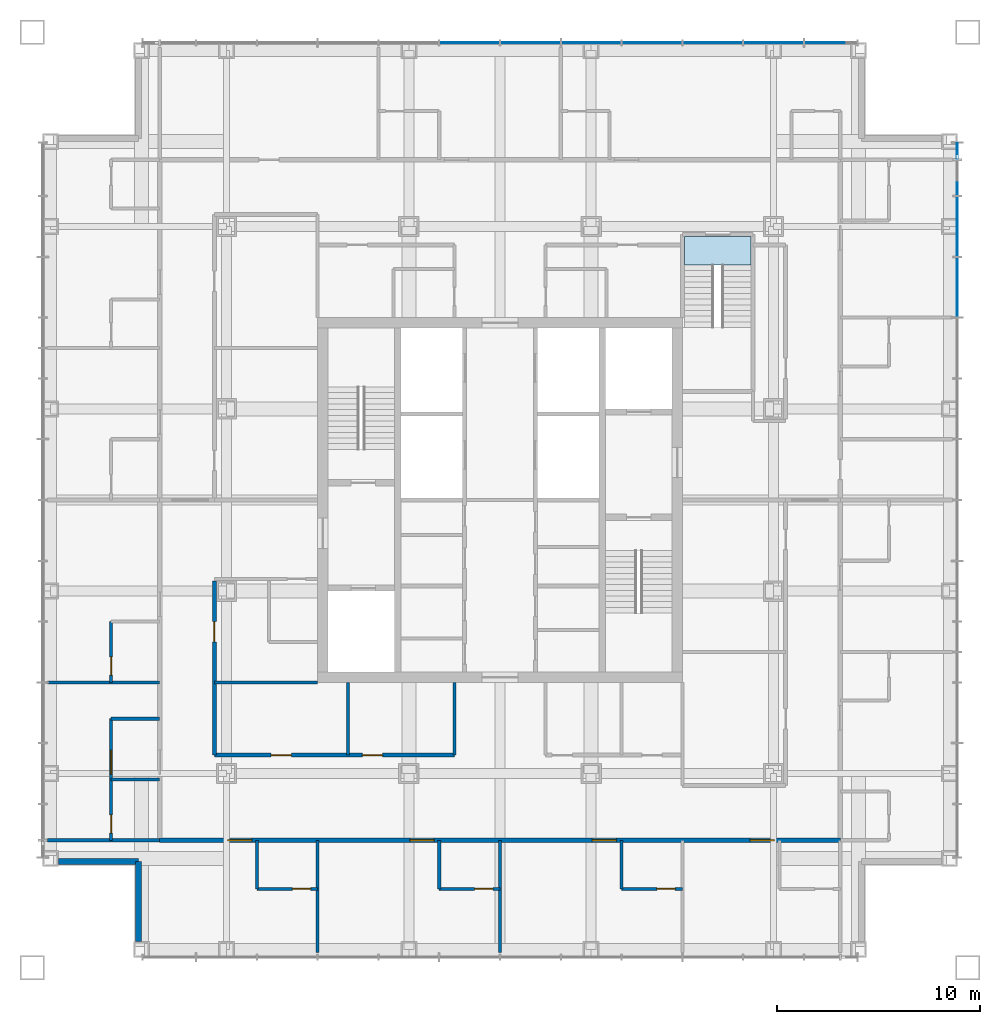
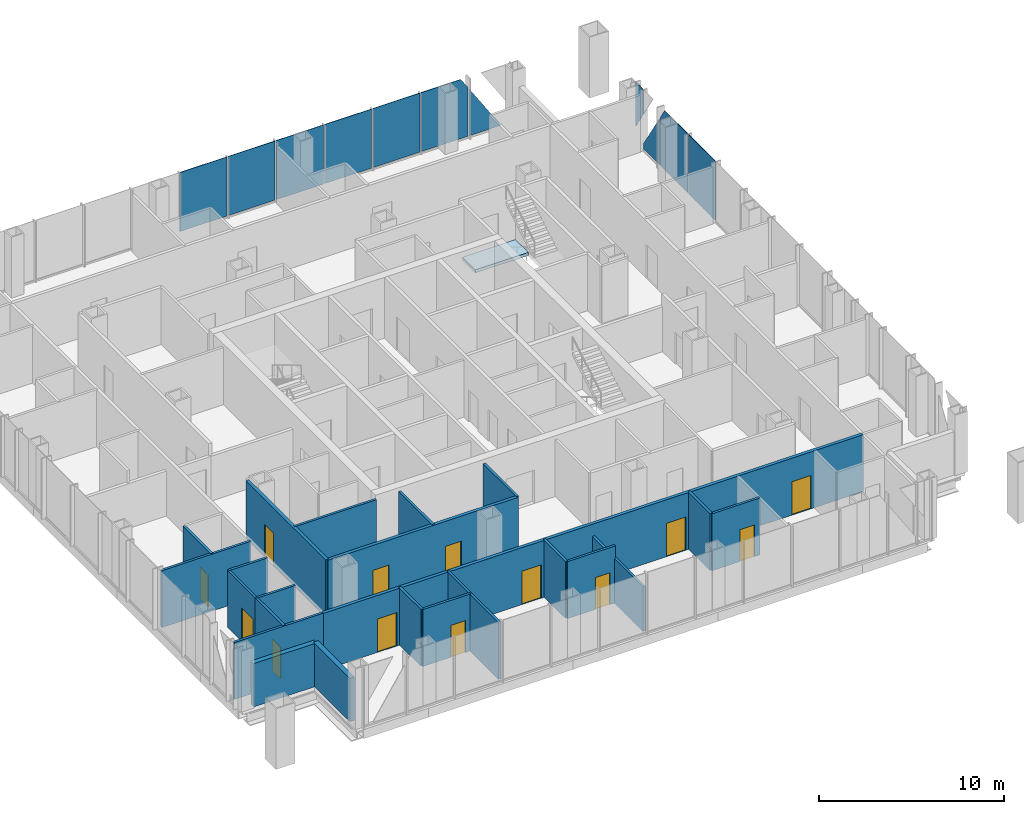
# One storey, part 6 of 15: 23 walls, 13 doors, 11 plates, 1 slab, 13 openings, 3 elements without a shape of their own.
"""IFC4 building model written with IfcOpenShell, lengths in metres."""

from ifc_helpers import new_model, si_unit, direction, frame, frame_2d, origin, origin_2d, place, context, subcontext, project, spatial, polyline, rectangle, outline, extrude, material, layer, layer_set, type_object, element, fill, aggregate, save


model = new_model("IFC4")

# Units and contexts
model_context = context("Model", 3, precision=1e-05, world=origin(), true_north=direction((0.0, 1.0)))
body_context = subcontext(model_context, "Body", "Model", "MODEL_VIEW")
ifc_project = project(units=[si_unit("LENGTHUNIT", "METRE"), si_unit("AREAUNIT", "SQUARE_METRE"), si_unit("VOLUMEUNIT", "CUBIC_METRE"), si_unit("PLANEANGLEUNIT", "RADIAN"), si_unit("MASSUNIT", "GRAM", prefix="KILO")], contexts=[model_context])

# Site, building, storey
site_placement = place(None, origin())
site = spatial("IfcSite", under=ifc_project, at=site_placement, CompositionType="ELEMENT")
building_placement = place(site_placement, origin())
building = spatial("IfcBuilding", under=site, at=building_placement, Name="Malebo Sky Hospital", CompositionType="ELEMENT")
storey_placement = place(building_placement, frame((0.0, 0.0, 217.0)))
storey = spatial("IfcBuildingStorey", under=building, at=storey_placement, Name="L52", CompositionType="ELEMENT", Elevation=217.0)

# Stair, slab
ifc_material_1 = material(Name="Concrete C40/50", Category="concrete")
stair_type = type_object("IfcStairType", Name="HALF-TURN STAIR 1400 R167", PredefinedType="HALF_TURN_STAIR", material=ifc_material_1)
stair_placement = place(storey_placement, origin())
stair = element("IfcStair", 1, at=stair_placement, inside=storey, type_object=stair_type, Name="Stair S3 L52 type ST1B", PredefinedType="HALF_TURN_STAIR")
ifc_layer_1 = layer(ifc_material_1, 0.199951171875)
ifc_layer_set_1 = layer_set([ifc_layer_1], Name="STAIR LANDING 200")
slab_type = type_object("IfcSlabType", Name="STAIR LANDING 200", PredefinedType="LANDING", material=ifc_layer_set_1)
slab_placement = place(storey_placement, frame((0.0, 0.0, -0.199951171875)))
slab = element("IfcSlab", 2, at=slab_placement, type_object=slab_type, Name="S3 landing 1", PredefinedType="LANDING", context=body_context, shape_type="SweptSolid", body=[
    extrude(outline(polyline([(69.10009765625, 73.60009765625), (72.39990234375, 73.60009765625), (72.39990234375, 75.0), (69.10009765625, 75.0), (69.10009765625, 73.60009765625)])), origin(), (0.0, 0.0, 1.0), 0.199951171875),
])
aggregate(stair, [slab])

# Curtain wall, plates
ifc_material_2 = material(Name="Anodised aluminium, natural silver", Category="aluminium")
ifc_layer_2 = layer(ifc_material_2, 0.25)
ifc_layer_set_2 = layer_set([ifc_layer_2], Name="WARD CURTAIN WALL NORTH AND SOUTH")
curtain_wall_type_1 = type_object("IfcCurtainWallType", Name="WARD CURTAIN WALL NORTH AND SOUTH", PredefinedType="NOTDEFINED", material=ifc_layer_set_2)
curtain_wall_1_placement = place(storey_placement, origin())
curtain_wall_1 = element("IfcCurtainWall", 3, at=curtain_wall_1_placement, inside=storey, type_object=curtain_wall_type_1, Name="NS curtain wall N", PredefinedType="NOTDEFINED")
ifc_material_3 = material(Name="Clear low-iron double glazing", Category="glass")
ifc_layer_3 = layer(ifc_material_3, 0.031982421875)
ifc_layer_set_3 = layer_set([ifc_layer_3], Name="VISION PANEL CLEAR 32")
plate_type = type_object("IfcPlateType", Name="VISION PANEL CLEAR 32", PredefinedType="CURTAIN_PANEL", material=ifc_layer_set_3)
plate_1_placement = place(storey_placement, frame((58.5, 84.574951171875, 0.10009765625), z_axis=(0.0, 0.0, 1.0), x_axis=(1.0, 0.0, 0.0)))
plate_1 = element("IfcPlate", 4, at=plate_1_placement, type_object=plate_type, Name="Panel 7", PredefinedType="CURTAIN_PANEL", context=body_context, shape_type="SweptSolid", body=[
    extrude(rectangle(XDim=2.925048828125, YDim=0.031982421875, at=origin_2d()), origin(), (0.0, 0.0, 1.0), 3.889892578125),
])
plate_2_placement = place(storey_placement, frame((61.5, 84.574951171875, 0.10009765625), z_axis=(0.0, 0.0, 1.0), x_axis=(1.0, 0.0, 0.0)))
plate_2 = element("IfcPlate", 5, at=plate_2_placement, type_object=plate_type, Name="Panel 8", PredefinedType="CURTAIN_PANEL", context=body_context, shape_type="SweptSolid", body=[
    extrude(rectangle(XDim=2.925048828125, YDim=0.031982421875, at=origin_2d()), origin(), (0.0, 0.0, 1.0), 3.889892578125),
])
plate_3_placement = place(storey_placement, frame((64.5, 84.574951171875, 0.10009765625), z_axis=(0.0, 0.0, 1.0), x_axis=(1.0, 0.0, 0.0)))
plate_3 = element("IfcPlate", 6, at=plate_3_placement, type_object=plate_type, Name="Panel 9", PredefinedType="CURTAIN_PANEL", context=body_context, shape_type="SweptSolid", body=[
    extrude(rectangle(XDim=2.925048828125, YDim=0.031982421875, at=origin_2d()), origin(), (0.0, 0.0, 1.0), 3.889892578125),
])
plate_4_placement = place(storey_placement, frame((67.5, 84.574951171875, 0.10009765625), z_axis=(0.0, 0.0, 1.0), x_axis=(1.0, 0.0, 0.0)))
plate_4 = element("IfcPlate", 7, at=plate_4_placement, type_object=plate_type, Name="Panel 10", PredefinedType="CURTAIN_PANEL", context=body_context, shape_type="SweptSolid", body=[
    extrude(rectangle(XDim=2.925048828125, YDim=0.031982421875, at=origin_2d()), origin(), (0.0, 0.0, 1.0), 3.889892578125),
])
plate_5_placement = place(storey_placement, frame((70.5, 84.574951171875, 0.10009765625), z_axis=(0.0, 0.0, 1.0), x_axis=(1.0, 0.0, 0.0)))
plate_5 = element("IfcPlate", 8, at=plate_5_placement, type_object=plate_type, Name="Panel 11", PredefinedType="CURTAIN_PANEL", context=body_context, shape_type="SweptSolid", body=[
    extrude(rectangle(XDim=2.925048828125, YDim=0.031982421875, at=origin_2d()), origin(), (0.0, 0.0, 1.0), 3.889892578125),
])
plate_6_placement = place(storey_placement, frame((73.5, 84.574951171875, 0.10009765625), z_axis=(0.0, 0.0, 1.0), x_axis=(1.0, 0.0, 0.0)))
plate_6 = element("IfcPlate", 9, at=plate_6_placement, type_object=plate_type, Name="Panel 12", PredefinedType="CURTAIN_PANEL", context=body_context, shape_type="SweptSolid", body=[
    extrude(outline(polyline([(-1.46240234375, 0.0), (1.46240234375, 0.0), (1.46240234375, 3.208984375), (1.025390625, 3.889892578125), (-1.46240234375, 3.889892578125), (-1.46240234375, 0.0)])), frame((0.0, 0.01611328125, 0.0), z_axis=(0.0, -1.0, 0.0), x_axis=(1.0, 0.0, 0.0)), (0.0, 0.0, 1.0), 0.031982421875),
])
plate_7_placement = place(storey_placement, frame((76.029541015625, 84.574951171875, 0.10009765625), z_axis=(0.0, 0.0, 1.0), x_axis=(1.0, 0.0, 0.0)))
plate_7 = element("IfcPlate", 10, at=plate_7_placement, type_object=plate_type, Name="Panel 13", PredefinedType="CURTAIN_PANEL", context=body_context, shape_type="SweptSolid", body=[
    extrude(outline(polyline([(-0.991943359375, 0.0), (0.991943359375, 0.0), (-0.991943359375, 3.092041015625), (-0.991943359375, 0.0)])), frame((0.0, 0.01611328125, 0.0), z_axis=(0.0, -1.0, 0.0), x_axis=(1.0, 0.0, 0.0)), (0.0, 0.0, 1.0), 0.031982421875),
])
aggregate(curtain_wall_1, [plate_1, plate_2, plate_3, plate_4, plate_5, plate_6, plate_7])

ifc_layer_4 = layer(ifc_material_2, 0.25)
ifc_layer_set_4 = layer_set([ifc_layer_4], Name="WARD CURTAIN WALL EAST AND WEST")
curtain_wall_type_2 = type_object("IfcCurtainWallType", Name="WARD CURTAIN WALL EAST AND WEST", PredefinedType="NOTDEFINED", material=ifc_layer_set_4)
curtain_wall_2_placement = place(storey_placement, origin())
curtain_wall_2 = element("IfcCurtainWall", 11, at=curtain_wall_2_placement, inside=storey, type_object=curtain_wall_type_2, Name="EW curtain wall E", PredefinedType="NOTDEFINED")
plate_8_placement = place(storey_placement, frame((82.574951171875, 79.231201171875, 1.105712890625), z_axis=(0.0, 0.0, 1.0), x_axis=(0.0, -1.0, 0.0)))
plate_8 = element("IfcPlate", 12, at=plate_8_placement, type_object=plate_type, Name="Panel 1", PredefinedType="CURTAIN_PANEL", context=body_context, shape_type="SweptSolid", body=[
    extrude(outline(polyline([(-0.393798828125, 0.0), (0.393798828125, 1.227294921875), (0.393798828125, 2.88427734375), (-0.393798828125, 2.88427734375), (-0.393798828125, 0.0)])), frame((0.0, 0.01611328125, 0.0), z_axis=(0.0, -1.0, 0.0), x_axis=(1.0, 0.0, 0.0)), (0.0, 0.0, 1.0), 0.031982421875),
])
plate_9_placement = place(storey_placement, frame((82.574951171875, 77.89990234375, 0.10009765625), z_axis=(0.0, 0.0, 1.0), x_axis=(0.0, -1.0, 0.0)))
plate_9 = element("IfcPlate", 13, at=plate_9_placement, type_object=plate_type, Name="Panel 2", PredefinedType="CURTAIN_PANEL", context=body_context, shape_type="SweptSolid", body=[
    extrude(outline(polyline([(-0.862548828125, 0.0), (0.862548828125, 0.0), (0.862548828125, 3.092041015625), (-0.862548828125, 0.40380859375), (-0.862548828125, 0.0)])), frame((0.0, 0.01611328125, 0.0), z_axis=(0.0, -1.0, 0.0), x_axis=(1.0, 0.0, 0.0)), (0.0, 0.0, 1.0), 0.031982421875),
])
plate_10_placement = place(storey_placement, frame((82.574951171875, 75.5, 0.10009765625), z_axis=(0.0, 0.0, 1.0), x_axis=(0.0, -1.0, 0.0)))
plate_10 = element("IfcPlate", 14, at=plate_10_placement, type_object=plate_type, Name="Panel 3", PredefinedType="CURTAIN_PANEL", context=body_context, shape_type="SweptSolid", body=[
    extrude(outline(polyline([(-1.46240234375, 0.0), (1.46240234375, 0.0), (1.46240234375, 3.889892578125), (-1.025390625, 3.889892578125), (-1.46240234375, 3.208984375), (-1.46240234375, 0.0)])), frame((0.0, 0.01611328125, 0.0), z_axis=(0.0, -1.0, 0.0), x_axis=(1.0, 0.0, 0.0)), (0.0, 0.0, 1.0), 0.031982421875),
])
plate_11_placement = place(storey_placement, frame((82.574951171875, 72.5, 0.10009765625), z_axis=(0.0, 0.0, 1.0), x_axis=(0.0, -1.0, 0.0)))
plate_11 = element("IfcPlate", 15, at=plate_11_placement, type_object=plate_type, Name="Panel 4", PredefinedType="CURTAIN_PANEL", context=body_context, shape_type="SweptSolid", body=[
    extrude(rectangle(XDim=2.925048828125, YDim=0.031982421875, at=origin_2d()), origin(), (0.0, 0.0, 1.0), 3.889892578125),
])
aggregate(curtain_wall_2, [plate_8, plate_9, plate_10, plate_11])

# Wall, opening, door
ifc_material_4 = material(Name="Gypsum board on steel studs", Category="steel")
ifc_layer_5 = layer(ifc_material_4, 0.199951171875)
ifc_layer_set_5 = layer_set([ifc_layer_5], Name="CORRIDOR WALL 200")
wall_type_1 = type_object("IfcWallType", Name="CORRIDOR WALL 200", PredefinedType="PARTITIONING", material=ifc_layer_set_5)
wall_1_placement = place(storey_placement, frame((45.89990234375, 49.39990234375, 0.0), z_axis=(0.0, 0.0, 1.0), x_axis=(0.0, 1.0, 0.0)))
wall_1 = element("IfcWall", 16, at=wall_1_placement, inside=storey, type_object=wall_type_1, Name="Corridor Wall 200 WCI1", PredefinedType="PARTITIONING", context=body_context, shape_type="SweptSolid", body=[
    extrude(rectangle(XDim=8.60009765625, YDim=0.199951171875, at=frame_2d((4.300048828125, 0.0))), origin(), (0.0, 0.0, 1.0), 3.75),
])
opening_1_placement = place(wall_1_placement, frame((5.60009765625, 0.0, 0.0)))
opening_1 = element("IfcOpeningElement", 17, at=opening_1_placement, cuts=wall_1, Name="Opening D03", PredefinedType="OPENING", context=body_context, shape_type="SweptSolid", body=[
    extrude(rectangle(XDim=1.0, YDim=2.10009765625, at=frame_2d((0.5, 1.050048828125))), frame((0.0, 0.10986328125, 0.0), z_axis=(0.0, -1.0, 0.0), x_axis=(1.0, 0.0, 0.0)), (0.0, 0.0, 1.0), 0.219970703125),
])
ifc_material_5 = material(Name="Hardwood-faced door leaf in steel frame", Category="steel")
door_type_1 = type_object("IfcDoorType", Name="ROOM DOOR 1000", OperationType="SINGLE_SWING_LEFT", PredefinedType="DOOR", material=ifc_material_5)
door_1_placement = place(opening_1_placement, origin())
door_1 = element("IfcDoor", 18, at=door_1_placement, inside=storey, type_object=door_type_1, Name="Medication room door", OperationType="SINGLE_SWING_LEFT", OverallHeight=2.10009765625, OverallWidth=1.0, PredefinedType="DOOR", context=body_context, shape_type="SweptSolid", body=[
    extrude(rectangle(XDim=1.0, YDim=2.10009765625, at=frame_2d((0.5, 1.050048828125))), frame((0.0, 0.02490234375, 0.0), z_axis=(0.0, -1.0, 0.0), x_axis=(1.0, 0.0, 0.0)), (0.0, 0.0, 1.0), 0.050048828125),
])
fill(opening_1, door_1)

# Wall, openings, doors
wall_2_placement = place(storey_placement, frame((76.800048828125, 45.199951171875, 0.0), z_axis=(0.0, 0.0, 1.0), x_axis=(-1.0, 0.0, 0.0)))
wall_2 = element("IfcWall", 19, at=wall_2_placement, inside=storey, type_object=wall_type_1, Name="Corridor Wall 200 SCO", PredefinedType="PARTITIONING", context=body_context, shape_type="SweptSolid", body=[
    extrude(rectangle(XDim=33.60009765625, YDim=0.199951171875, at=frame_2d((16.800048828125, 0.0))), origin(), (0.0, 0.0, 1.0), 3.75),
])
opening_2_placement = place(wall_2_placement, frame((3.25, 0.0, 0.0)))
opening_2 = element("IfcOpeningElement", 20, at=opening_2_placement, cuts=wall_2, Name="Opening D01", PredefinedType="OPENING", context=body_context, shape_type="SweptSolid", body=[
    extrude(rectangle(XDim=1.199951171875, YDim=2.199951171875, at=frame_2d((0.60009765625, 1.10009765625))), frame((0.0, 0.10986328125, 0.0), z_axis=(0.0, -1.0, 0.0), x_axis=(1.0, 0.0, 0.0)), (0.0, 0.0, 1.0), 0.219970703125),
])
opening_3_placement = place(wall_2_placement, frame((11.050048828125, 0.0, 0.0)))
opening_3 = element("IfcOpeningElement", 21, at=opening_3_placement, cuts=wall_2, Name="Opening D01", PredefinedType="OPENING", context=body_context, shape_type="SweptSolid", body=[
    extrude(rectangle(XDim=1.199951171875, YDim=2.199951171875, at=frame_2d((0.60009765625, 1.10009765625))), frame((0.0, 0.10986328125, 0.0), z_axis=(0.0, -1.0, 0.0), x_axis=(1.0, 0.0, 0.0)), (0.0, 0.0, 1.0), 0.219970703125),
])
opening_4_placement = place(wall_2_placement, frame((20.050048828125, 0.0, 0.0)))
opening_4 = element("IfcOpeningElement", 22, at=opening_4_placement, cuts=wall_2, Name="Opening D01", PredefinedType="OPENING", context=body_context, shape_type="SweptSolid", body=[
    extrude(rectangle(XDim=1.199951171875, YDim=2.199951171875, at=frame_2d((0.60009765625, 1.10009765625))), frame((0.0, 0.10986328125, 0.0), z_axis=(0.0, -1.0, 0.0), x_axis=(1.0, 0.0, 0.0)), (0.0, 0.0, 1.0), 0.219970703125),
])
opening_5_placement = place(wall_2_placement, frame((29.050048828125, 0.0, 0.0)))
opening_5 = element("IfcOpeningElement", 23, at=opening_5_placement, cuts=wall_2, Name="Opening D01", PredefinedType="OPENING", context=body_context, shape_type="SweptSolid", body=[
    extrude(rectangle(XDim=1.199951171875, YDim=2.199951171875, at=frame_2d((0.60009765625, 1.10009765625))), frame((0.0, 0.10986328125, 0.0), z_axis=(0.0, -1.0, 0.0), x_axis=(1.0, 0.0, 0.0)), (0.0, 0.0, 1.0), 0.219970703125),
])
door_type_2 = type_object("IfcDoorType", Name="BED DOOR 1200", OperationType="SINGLE_SWING_LEFT", PredefinedType="DOOR", material=ifc_material_5)
door_2_placement = place(opening_2_placement, origin())
door_2 = element("IfcDoor", 24, at=door_2_placement, inside=storey, type_object=door_type_2, Name="Two-bed room door", OperationType="SINGLE_SWING_LEFT", OverallHeight=2.199951171875, OverallWidth=1.199951171875, PredefinedType="DOOR", context=body_context, shape_type="SweptSolid", body=[
    extrude(rectangle(XDim=1.199951171875, YDim=2.199951171875, at=frame_2d((0.60009765625, 1.10009765625))), frame((0.0, 0.02490234375, 0.0), z_axis=(0.0, -1.0, 0.0), x_axis=(1.0, 0.0, 0.0)), (0.0, 0.0, 1.0), 0.050048828125),
])
fill(opening_2, door_2)
door_3_placement = place(opening_3_placement, origin())
door_3 = element("IfcDoor", 25, at=door_3_placement, inside=storey, type_object=door_type_2, Name="Two-bed room door", OperationType="SINGLE_SWING_LEFT", OverallHeight=2.199951171875, OverallWidth=1.199951171875, PredefinedType="DOOR", context=body_context, shape_type="SweptSolid", body=[
    extrude(rectangle(XDim=1.199951171875, YDim=2.199951171875, at=frame_2d((0.60009765625, 1.10009765625))), frame((0.0, 0.02490234375, 0.0), z_axis=(0.0, -1.0, 0.0), x_axis=(1.0, 0.0, 0.0)), (0.0, 0.0, 1.0), 0.050048828125),
])
fill(opening_3, door_3)
door_4_placement = place(opening_4_placement, origin())
door_4 = element("IfcDoor", 26, at=door_4_placement, inside=storey, type_object=door_type_2, Name="Two-bed room door", OperationType="SINGLE_SWING_LEFT", OverallHeight=2.199951171875, OverallWidth=1.199951171875, PredefinedType="DOOR", context=body_context, shape_type="SweptSolid", body=[
    extrude(rectangle(XDim=1.199951171875, YDim=2.199951171875, at=frame_2d((0.60009765625, 1.10009765625))), frame((0.0, 0.02490234375, 0.0), z_axis=(0.0, -1.0, 0.0), x_axis=(1.0, 0.0, 0.0)), (0.0, 0.0, 1.0), 0.050048828125),
])
fill(opening_4, door_4)
door_5_placement = place(opening_5_placement, origin())
door_5 = element("IfcDoor", 27, at=door_5_placement, inside=storey, type_object=door_type_2, Name="Two-bed room door", OperationType="SINGLE_SWING_LEFT", OverallHeight=2.199951171875, OverallWidth=1.199951171875, PredefinedType="DOOR", context=body_context, shape_type="SweptSolid", body=[
    extrude(rectangle(XDim=1.199951171875, YDim=2.199951171875, at=frame_2d((0.60009765625, 1.10009765625))), frame((0.0, 0.02490234375, 0.0), z_axis=(0.0, -1.0, 0.0), x_axis=(1.0, 0.0, 0.0)), (0.0, 0.0, 1.0), 0.050048828125),
])
fill(opening_5, door_5)

wall_3_placement = place(storey_placement, frame((57.75, 49.39990234375, 0.0), z_axis=(0.0, 0.0, 1.0), x_axis=(-1.0, 0.0, 0.0)))
wall_3 = element("IfcWall", 28, at=wall_3_placement, inside=storey, type_object=wall_type_1, Name="Corridor Wall 200 SCI2", PredefinedType="PARTITIONING", context=body_context, shape_type="SweptSolid", body=[
    extrude(rectangle(XDim=11.85009765625, YDim=0.199951171875, at=frame_2d((5.925048828125, 0.0))), origin(), (0.0, 0.0, 1.0), 3.75),
])
opening_6_placement = place(wall_3_placement, frame((3.550048828125, 0.0, 0.0)))
opening_6 = element("IfcOpeningElement", 29, at=opening_6_placement, cuts=wall_3, Name="Opening D03", PredefinedType="OPENING", context=body_context, shape_type="SweptSolid", body=[
    extrude(rectangle(XDim=1.0, YDim=2.10009765625, at=frame_2d((0.5, 1.050048828125))), frame((0.0, 0.10986328125, 0.0), z_axis=(0.0, -1.0, 0.0), x_axis=(1.0, 0.0, 0.0)), (0.0, 0.0, 1.0), 0.219970703125),
])
opening_7_placement = place(wall_3_placement, frame((8.050048828125, 0.0, 0.0)))
opening_7 = element("IfcOpeningElement", 30, at=opening_7_placement, cuts=wall_3, Name="Opening D03", PredefinedType="OPENING", context=body_context, shape_type="SweptSolid", body=[
    extrude(rectangle(XDim=1.0, YDim=2.10009765625, at=frame_2d((0.5, 1.050048828125))), frame((0.0, 0.10986328125, 0.0), z_axis=(0.0, -1.0, 0.0), x_axis=(1.0, 0.0, 0.0)), (0.0, 0.0, 1.0), 0.219970703125),
])
door_6_placement = place(opening_6_placement, origin())
door_6 = element("IfcDoor", 31, at=door_6_placement, inside=storey, type_object=door_type_1, Name="Clean utility room door", OperationType="SINGLE_SWING_RIGHT", OverallHeight=2.10009765625, OverallWidth=1.0, PredefinedType="DOOR", context=body_context, shape_type="SweptSolid", body=[
    extrude(rectangle(XDim=1.0, YDim=2.10009765625, at=frame_2d((0.5, 1.050048828125))), frame((0.0, 0.02490234375, 0.0), z_axis=(0.0, -1.0, 0.0), x_axis=(1.0, 0.0, 0.0)), (0.0, 0.0, 1.0), 0.050048828125),
])
fill(opening_6, door_6)
door_7_placement = place(opening_7_placement, origin())
door_7 = element("IfcDoor", 32, at=door_7_placement, inside=storey, type_object=door_type_1, Name="Parents' kitchen door", OperationType="SINGLE_SWING_RIGHT", OverallHeight=2.10009765625, OverallWidth=1.0, PredefinedType="DOOR", context=body_context, shape_type="SweptSolid", body=[
    extrude(rectangle(XDim=1.0, YDim=2.10009765625, at=frame_2d((0.5, 1.050048828125))), frame((0.0, 0.02490234375, 0.0), z_axis=(0.0, -1.0, 0.0), x_axis=(1.0, 0.0, 0.0)), (0.0, 0.0, 1.0), 0.050048828125),
])
fill(opening_7, door_7)

# Walls
ifc_material_6 = material(Name="Anodised aluminium rainscreen on steel framing", Category="steel")
ifc_layer_6 = layer(ifc_material_6, 0.300048828125)
ifc_layer_set_6 = layer_set([ifc_layer_6], Name="NOTCH RAINSCREEN WALL 300")
wall_type_2 = type_object("IfcWallType", Name="NOTCH RAINSCREEN WALL 300", PredefinedType="ELEMENTEDWALL", material=ifc_layer_set_6)
for number, where, z_axis, x_axis, name in (
    (33, (42.14990234375, 40.199951171875, 0.0), (0.0, 0.0, 1.0), (0.0, 1.0, 0.0), "Notch rainscreen wall S1 L52"),
    (34, (42.14990234375, 44.14990234375, 0.0), (0.0, 0.0, 1.0), (-1.0, 0.0, 0.0), "Notch rainscreen wall S2 L52"),
):
    element("IfcWall", number, at=place(storey_placement, frame(where, z_axis=z_axis, x_axis=x_axis)), inside=storey, type_object=wall_type_2, Name=name, PredefinedType="ELEMENTEDWALL", context=body_context, shape_type="SweptSolid", body=[
        extrude(rectangle(XDim=3.949951171875, YDim=0.300048828125, at=frame_2d((1.97509765625, 0.0))), origin(), (0.0, 0.0, 1.0), 2.85009765625),
    ])
ifc_layer_7 = layer(ifc_material_4, 0.14990234375)
ifc_layer_set_7 = layer_set([ifc_layer_7], Name="PARTITION 150")
wall_type_3 = type_object("IfcWallType", Name="PARTITION 150", PredefinedType="PARTITIONING", material=ifc_layer_set_7)
for number, where, z_axis, x_axis, name in (
    (35, (43.199951171875, 53.0, 0.0), (0.0, 0.0, 1.0), (-1.0, 0.0, 0.0), "Partition 150 WP-9.0"),
    (36, (43.199951171875, 45.199951171875, 0.0), (0.0, 0.0, 1.0), (-1.0, 0.0, 0.0), "Partition 150 WP0"),
):
    element("IfcWall", number, at=place(storey_placement, frame(where, z_axis=z_axis, x_axis=x_axis)), inside=storey, type_object=wall_type_3, Name=name, PredefinedType="PARTITIONING", context=body_context, shape_type="SweptSolid", body=[
        extrude(rectangle(XDim=5.550048828125, YDim=0.14990234375, at=frame_2d((2.77490234375, 0.0))), origin(), (0.0, 0.0, 1.0), 3.75),
    ])

# Wall, opening, door
wall_4_placement = place(storey_placement, frame((40.800048828125, 45.199951171875, 0.0), z_axis=(0.0, 0.0, 1.0), x_axis=(0.0, 1.0, 0.0)))
wall_4 = element("IfcWall", 37, at=wall_4_placement, inside=storey, type_object=wall_type_3, Name="Partition 150 WE0F", PredefinedType="PARTITIONING", context=body_context, shape_type="SweptSolid", body=[
    extrude(rectangle(XDim=3.0, YDim=0.14990234375, at=frame_2d((1.5, 0.0))), origin(), (0.0, 0.0, 1.0), 3.75),
])
opening_8_placement = place(wall_4_placement, frame((0.35009765625, 0.0, 0.0)))
opening_8 = element("IfcOpeningElement", 38, at=opening_8_placement, cuts=wall_4, Name="Opening D02", PredefinedType="OPENING", context=body_context, shape_type="SweptSolid", body=[
    extrude(rectangle(XDim=0.89990234375, YDim=2.10009765625, at=frame_2d((0.449951171875, 1.050048828125))), frame((0.0, 0.0849609375, 0.0), z_axis=(0.0, -1.0, 0.0), x_axis=(1.0, 0.0, 0.0)), (0.0, 0.0, 1.0), 0.169921875),
])
door_type_3 = type_object("IfcDoorType", Name="EN-SUITE DOOR 900", OperationType="SINGLE_SWING_LEFT", PredefinedType="DOOR", material=ifc_material_5)
door_8_placement = place(opening_8_placement, origin())
door_8 = element("IfcDoor", 39, at=door_8_placement, inside=storey, type_object=door_type_3, Name="En-suite door", OperationType="SINGLE_SWING_LEFT", OverallHeight=2.10009765625, OverallWidth=0.89990234375, PredefinedType="DOOR", context=body_context, shape_type="SweptSolid", body=[
    extrude(rectangle(XDim=0.89990234375, YDim=2.10009765625, at=frame_2d((0.449951171875, 1.050048828125))), frame((0.0, 0.02490234375, 0.0), z_axis=(0.0, -1.0, 0.0), x_axis=(1.0, 0.0, 0.0)), (0.0, 0.0, 1.0), 0.050048828125),
])
fill(opening_8, door_8)

# Wall
wall_5_placement = place(storey_placement, frame((43.199951171875, 48.199951171875, 0.0), z_axis=(0.0, 0.0, 1.0), x_axis=(-1.0, 0.0, 0.0)))
element("IfcWall", 40, at=wall_5_placement, inside=storey, type_object=wall_type_3, Name="Partition 150 WE0S", PredefinedType="PARTITIONING", context=body_context, shape_type="SweptSolid", body=[
    extrude(rectangle(XDim=2.39990234375, YDim=0.14990234375, at=frame_2d((1.199951171875, 0.0))), origin(), (0.0, 0.0, 1.0), 3.75),
])

# Wall, opening, door
wall_6_placement = place(storey_placement, frame((40.800048828125, 53.0, 0.0), z_axis=(0.0, 0.0, 1.0), x_axis=(0.0, 1.0, 0.0)))
wall_6 = element("IfcWall", 41, at=wall_6_placement, inside=storey, type_object=wall_type_3, Name="Partition 150 WE1F", PredefinedType="PARTITIONING", context=body_context, shape_type="SweptSolid", body=[
    extrude(rectangle(XDim=3.0, YDim=0.14990234375, at=frame_2d((1.5, 0.0))), origin(), (0.0, 0.0, 1.0), 3.75),
])
opening_9_placement = place(wall_6_placement, frame((0.35009765625, 0.0, 0.0)))
opening_9 = element("IfcOpeningElement", 42, at=opening_9_placement, cuts=wall_6, Name="Opening D02", PredefinedType="OPENING", context=body_context, shape_type="SweptSolid", body=[
    extrude(rectangle(XDim=0.89990234375, YDim=2.10009765625, at=frame_2d((0.449951171875, 1.050048828125))), frame((0.0, 0.0849609375, 0.0), z_axis=(0.0, -1.0, 0.0), x_axis=(1.0, 0.0, 0.0)), (0.0, 0.0, 1.0), 0.169921875),
])
door_9_placement = place(opening_9_placement, origin())
door_9 = element("IfcDoor", 43, at=door_9_placement, inside=storey, type_object=door_type_3, Name="En-suite door", OperationType="SINGLE_SWING_LEFT", OverallHeight=2.10009765625, OverallWidth=0.89990234375, PredefinedType="DOOR", context=body_context, shape_type="SweptSolid", body=[
    extrude(rectangle(XDim=0.89990234375, YDim=2.10009765625, at=frame_2d((0.449951171875, 1.050048828125))), frame((0.0, 0.02490234375, 0.0), z_axis=(0.0, -1.0, 0.0), x_axis=(1.0, 0.0, 0.0)), (0.0, 0.0, 1.0), 0.050048828125),
])
fill(opening_9, door_9)

# Walls
wall_7_placement = place(storey_placement, frame((51.0, 53.0, 0.0), z_axis=(0.0, 0.0, 1.0), x_axis=(-1.0, 0.0, 0.0)))
element("IfcWall", 44, at=wall_7_placement, inside=storey, type_object=wall_type_3, Name="Partition 150 WSP0", PredefinedType="PARTITIONING", context=body_context, shape_type="SweptSolid", body=[
    extrude(rectangle(XDim=5.10009765625, YDim=0.14990234375, at=frame_2d((2.550048828125, 0.0))), origin(), (0.0, 0.0, 1.0), 3.75),
])
wall_8_placement = place(storey_placement, frame((60.0, 45.199951171875, 0.0), z_axis=(0.0, 0.0, 1.0), x_axis=(0.0, -1.0, 0.0)))
element("IfcWall", 45, at=wall_8_placement, inside=storey, type_object=wall_type_3, Name="Partition 150 SP+0.0", PredefinedType="PARTITIONING", context=body_context, shape_type="SweptSolid", body=[
    extrude(rectangle(XDim=5.550048828125, YDim=0.14990234375, at=frame_2d((2.77490234375, 0.0))), origin(), (0.0, 0.0, 1.0), 2.949951171875),
])
wall_9_placement = place(storey_placement, frame((51.0, 45.199951171875, 0.0), z_axis=(0.0, 0.0, 1.0), x_axis=(0.0, -1.0, 0.0)))
element("IfcWall", 46, at=wall_9_placement, inside=storey, type_object=wall_type_3, Name="Partition 150 SP+9.0", PredefinedType="PARTITIONING", context=body_context, shape_type="SweptSolid", body=[
    extrude(rectangle(XDim=5.550048828125, YDim=0.14990234375, at=frame_2d((2.77490234375, 0.0))), origin(), (0.0, 0.0, 1.0), 3.75),
])

# Wall, opening, door
wall_10_placement = place(storey_placement, frame((69.0, 42.800048828125, 0.0), z_axis=(0.0, 0.0, 1.0), x_axis=(-1.0, 0.0, 0.0)))
wall_10 = element("IfcWall", 47, at=wall_10_placement, inside=storey, type_object=wall_type_3, Name="Partition 150 SE1F", PredefinedType="PARTITIONING", context=body_context, shape_type="SweptSolid", body=[
    extrude(rectangle(XDim=3.0, YDim=0.14990234375, at=frame_2d((1.5, 0.0))), origin(), (0.0, 0.0, 1.0), 3.75),
])
opening_10_placement = place(wall_10_placement, frame((0.35009765625, 0.0, 0.0)))
opening_10 = element("IfcOpeningElement", 48, at=opening_10_placement, cuts=wall_10, Name="Opening D02", PredefinedType="OPENING", context=body_context, shape_type="SweptSolid", body=[
    extrude(rectangle(XDim=0.89990234375, YDim=2.10009765625, at=frame_2d((0.449951171875, 1.050048828125))), frame((0.0, 0.0849609375, 0.0), z_axis=(0.0, -1.0, 0.0), x_axis=(1.0, 0.0, 0.0)), (0.0, 0.0, 1.0), 0.169921875),
])
door_10_placement = place(opening_10_placement, origin())
door_10 = element("IfcDoor", 49, at=door_10_placement, inside=storey, type_object=door_type_3, Name="En-suite door", OperationType="SINGLE_SWING_LEFT", OverallHeight=2.10009765625, OverallWidth=0.89990234375, PredefinedType="DOOR", context=body_context, shape_type="SweptSolid", body=[
    extrude(rectangle(XDim=0.89990234375, YDim=2.10009765625, at=frame_2d((0.449951171875, 1.050048828125))), frame((0.0, 0.02490234375, 0.0), z_axis=(0.0, -1.0, 0.0), x_axis=(1.0, 0.0, 0.0)), (0.0, 0.0, 1.0), 0.050048828125),
])
fill(opening_10, door_10)

# Wall
wall_11_placement = place(storey_placement, frame((66.0, 45.199951171875, 0.0), z_axis=(0.0, 0.0, 1.0), x_axis=(0.0, -1.0, 0.0)))
element("IfcWall", 50, at=wall_11_placement, inside=storey, type_object=wall_type_3, Name="Partition 150 SE1S", PredefinedType="PARTITIONING", context=body_context, shape_type="SweptSolid", body=[
    extrude(rectangle(XDim=2.39990234375, YDim=0.14990234375, at=frame_2d((1.199951171875, 0.0))), origin(), (0.0, 0.0, 1.0), 3.75),
])

# Wall, opening, door
wall_12_placement = place(storey_placement, frame((60.0, 42.800048828125, 0.0), z_axis=(0.0, 0.0, 1.0), x_axis=(-1.0, 0.0, 0.0)))
wall_12 = element("IfcWall", 51, at=wall_12_placement, inside=storey, type_object=wall_type_3, Name="Partition 150 SE2F", PredefinedType="PARTITIONING", context=body_context, shape_type="SweptSolid", body=[
    extrude(rectangle(XDim=3.0, YDim=0.14990234375, at=frame_2d((1.5, 0.0))), origin(), (0.0, 0.0, 1.0), 3.75),
])
opening_11_placement = place(wall_12_placement, frame((0.35009765625, 0.0, 0.0)))
opening_11 = element("IfcOpeningElement", 52, at=opening_11_placement, cuts=wall_12, Name="Opening D02", PredefinedType="OPENING", context=body_context, shape_type="SweptSolid", body=[
    extrude(rectangle(XDim=0.89990234375, YDim=2.10009765625, at=frame_2d((0.449951171875, 1.050048828125))), frame((0.0, 0.0849609375, 0.0), z_axis=(0.0, -1.0, 0.0), x_axis=(1.0, 0.0, 0.0)), (0.0, 0.0, 1.0), 0.169921875),
])
door_11_placement = place(opening_11_placement, origin())
door_11 = element("IfcDoor", 53, at=door_11_placement, inside=storey, type_object=door_type_3, Name="En-suite door", OperationType="SINGLE_SWING_LEFT", OverallHeight=2.10009765625, OverallWidth=0.89990234375, PredefinedType="DOOR", context=body_context, shape_type="SweptSolid", body=[
    extrude(rectangle(XDim=0.89990234375, YDim=2.10009765625, at=frame_2d((0.449951171875, 1.050048828125))), frame((0.0, 0.02490234375, 0.0), z_axis=(0.0, -1.0, 0.0), x_axis=(1.0, 0.0, 0.0)), (0.0, 0.0, 1.0), 0.050048828125),
])
fill(opening_11, door_11)

# Wall
wall_13_placement = place(storey_placement, frame((57.0, 45.199951171875, 0.0), z_axis=(0.0, 0.0, 1.0), x_axis=(0.0, -1.0, 0.0)))
element("IfcWall", 54, at=wall_13_placement, inside=storey, type_object=wall_type_3, Name="Partition 150 SE2S", PredefinedType="PARTITIONING", context=body_context, shape_type="SweptSolid", body=[
    extrude(rectangle(XDim=2.39990234375, YDim=0.14990234375, at=frame_2d((1.199951171875, 0.0))), origin(), (0.0, 0.0, 1.0), 3.75),
])

# Wall, opening, door
wall_14_placement = place(storey_placement, frame((51.0, 42.800048828125, 0.0), z_axis=(0.0, 0.0, 1.0), x_axis=(-1.0, 0.0, 0.0)))
wall_14 = element("IfcWall", 55, at=wall_14_placement, inside=storey, type_object=wall_type_3, Name="Partition 150 SE3F", PredefinedType="PARTITIONING", context=body_context, shape_type="SweptSolid", body=[
    extrude(rectangle(XDim=3.0, YDim=0.14990234375, at=frame_2d((1.5, 0.0))), origin(), (0.0, 0.0, 1.0), 3.75),
])
opening_12_placement = place(wall_14_placement, frame((0.35009765625, 0.0, 0.0)))
opening_12 = element("IfcOpeningElement", 56, at=opening_12_placement, cuts=wall_14, Name="Opening D02", PredefinedType="OPENING", context=body_context, shape_type="SweptSolid", body=[
    extrude(rectangle(XDim=0.89990234375, YDim=2.10009765625, at=frame_2d((0.449951171875, 1.050048828125))), frame((0.0, 0.0849609375, 0.0), z_axis=(0.0, -1.0, 0.0), x_axis=(1.0, 0.0, 0.0)), (0.0, 0.0, 1.0), 0.169921875),
])
door_12_placement = place(opening_12_placement, origin())
door_12 = element("IfcDoor", 57, at=door_12_placement, inside=storey, type_object=door_type_3, Name="En-suite door", OperationType="SINGLE_SWING_LEFT", OverallHeight=2.10009765625, OverallWidth=0.89990234375, PredefinedType="DOOR", context=body_context, shape_type="SweptSolid", body=[
    extrude(rectangle(XDim=0.89990234375, YDim=2.10009765625, at=frame_2d((0.449951171875, 1.050048828125))), frame((0.0, 0.02490234375, 0.0), z_axis=(0.0, -1.0, 0.0), x_axis=(1.0, 0.0, 0.0)), (0.0, 0.0, 1.0), 0.050048828125),
])
fill(opening_12, door_12)

# Walls
wall_15_placement = place(storey_placement, frame((48.0, 45.199951171875, 0.0), z_axis=(0.0, 0.0, 1.0), x_axis=(0.0, -1.0, 0.0)))
element("IfcWall", 58, at=wall_15_placement, inside=storey, type_object=wall_type_3, Name="Partition 150 SE3S", PredefinedType="PARTITIONING", context=body_context, shape_type="SweptSolid", body=[
    extrude(rectangle(XDim=2.39990234375, YDim=0.14990234375, at=frame_2d((1.199951171875, 0.0))), origin(), (0.0, 0.0, 1.0), 3.75),
])
for number, where, z_axis, x_axis, name in (
    (59, (57.75, 53.0, 0.0), (0.0, 0.0, 1.0), (0.0, -1.0, 0.0), "Partition 150 SSPB"),
    (60, (52.5, 53.0, 0.0), (0.0, 0.0, 1.0), (0.0, -1.0, 0.0), "Partition 150 SSP+7.5"),
):
    element("IfcWall", number, at=place(storey_placement, frame(where, z_axis=z_axis, x_axis=x_axis)), inside=storey, type_object=wall_type_3, Name=name, PredefinedType="PARTITIONING", context=body_context, shape_type="SweptSolid", body=[
        extrude(rectangle(XDim=3.60009765625, YDim=0.14990234375, at=frame_2d((1.800048828125, 0.0))), origin(), (0.0, 0.0, 1.0), 3.75),
    ])

# Wall, opening, door
ifc_material_7 = material(Name="Sealed gypsum board on steel studs, taped to the slab", Category="steel")
ifc_layer_8 = layer(ifc_material_7, 0.14990234375)
ifc_layer_set_8 = layer_set([ifc_layer_8], Name="SEALED ISOLATION PARTITION 150")
wall_type_4 = type_object("IfcWallType", Name="SEALED ISOLATION PARTITION 150", PredefinedType="PARTITIONING", material=ifc_layer_set_8)
wall_16_placement = place(storey_placement, frame((40.800048828125, 48.199951171875, 0.0), z_axis=(0.0, 0.0, 1.0), x_axis=(0.0, 1.0, 0.0)))
wall_16 = element("IfcWall", 61, at=wall_16_placement, inside=storey, type_object=wall_type_4, Name="Sealed Isolation Partition 150 WA0F", PredefinedType="PARTITIONING", context=body_context, shape_type="SweptSolid", body=[
    extrude(rectangle(XDim=3.0, YDim=0.14990234375, at=frame_2d((1.5, 0.0))), origin(), (0.0, 0.0, 1.0), 3.75),
])
opening_13_placement = place(wall_16_placement, frame((0.25, 0.0, 0.0)))
opening_13 = element("IfcOpeningElement", 62, at=opening_13_placement, cuts=wall_16, Name="Opening D19", PredefinedType="OPENING", context=body_context, shape_type="SweptSolid", body=[
    extrude(rectangle(XDim=1.199951171875, YDim=2.199951171875, at=frame_2d((0.60009765625, 1.10009765625))), frame((0.0, 0.0849609375, 0.0), z_axis=(0.0, -1.0, 0.0), x_axis=(1.0, 0.0, 0.0)), (0.0, 0.0, 1.0), 0.169921875),
])
ifc_material_8 = material(Name="Hardwood-faced door leaf with perimeter seals in steel frame", Category="steel")
door_type_4 = type_object("IfcDoorType", Name="SEALED ISOLATION ROOM DOOR 1200", OperationType="SINGLE_SWING_LEFT", PredefinedType="DOOR", material=ifc_material_8)
door_13_placement = place(opening_13_placement, origin())
door_13 = element("IfcDoor", 63, at=door_13_placement, inside=storey, type_object=door_type_4, Name="Isolation room door", OperationType="SINGLE_SWING_LEFT", OverallHeight=2.199951171875, OverallWidth=1.199951171875, PredefinedType="DOOR", context=body_context, shape_type="SweptSolid", body=[
    extrude(rectangle(XDim=1.199951171875, YDim=2.199951171875, at=frame_2d((0.60009765625, 1.10009765625))), frame((0.0, 0.02490234375, 0.0), z_axis=(0.0, -1.0, 0.0), x_axis=(1.0, 0.0, 0.0)), (0.0, 0.0, 1.0), 0.050048828125),
])
fill(opening_13, door_13)

# Wall
wall_17_placement = place(storey_placement, frame((43.199951171875, 51.199951171875, 0.0), z_axis=(0.0, 0.0, 1.0), x_axis=(-1.0, 0.0, 0.0)))
element("IfcWall", 64, at=wall_17_placement, inside=storey, type_object=wall_type_4, Name="Sealed Isolation Partition 150 WA0S", PredefinedType="PARTITIONING", context=body_context, shape_type="SweptSolid", body=[
    extrude(rectangle(XDim=2.39990234375, YDim=0.14990234375, at=frame_2d((1.199951171875, 0.0))), origin(), (0.0, 0.0, 1.0), 3.75),
])

save(model, "model.ifc")
